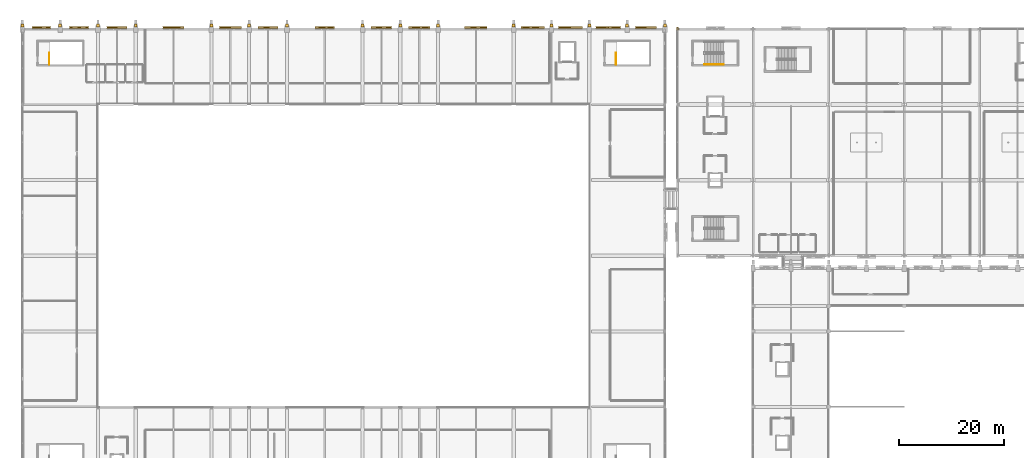
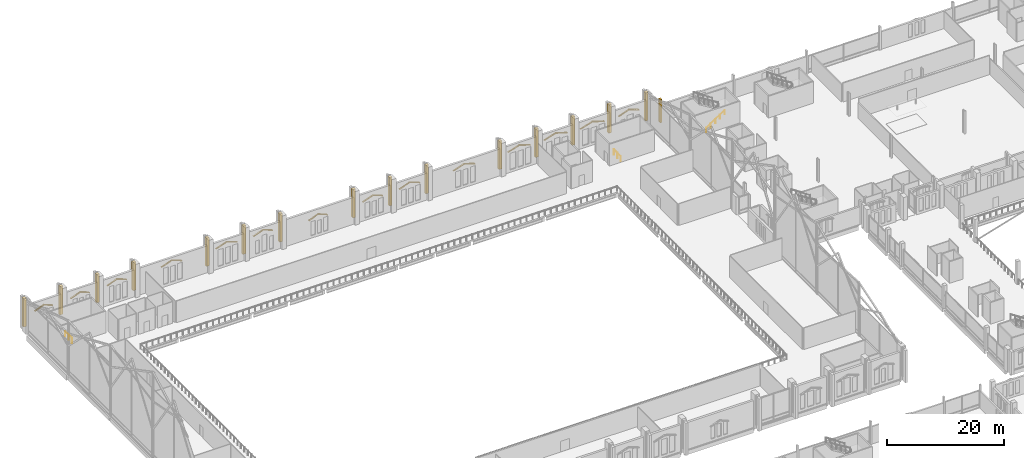
# One storey, part 216 of 220: 44 coverings, 3 railings.
"""IFC4 building model written with IfcOpenShell, lengths in metres."""

from ifc_helpers import new_model, si_unit, direction, frame, origin, origin_2d, place, context, subcontext, project, spatial, polyline, circle, outline, extrude, material, layer, layer_set, type_object, element, save


model = new_model("IFC4")

# Units and contexts
model_context = context("Model", 3, precision=1e-05, world=origin(), true_north=direction((0.0, 1.0)))
body_context = subcontext(model_context, "Body", "Model", "MODEL_VIEW")
ifc_project = project(units=[si_unit("LENGTHUNIT", "METRE"), si_unit("AREAUNIT", "SQUARE_METRE"), si_unit("VOLUMEUNIT", "CUBIC_METRE"), si_unit("PLANEANGLEUNIT", "RADIAN"), si_unit("MASSUNIT", "GRAM", prefix="KILO")], contexts=[model_context])

# Site, building, storey
site_placement = place(None, origin())
site = spatial("IfcSite", under=ifc_project, at=site_placement, CompositionType="ELEMENT")
building_placement = place(site_placement, origin())
building = spatial("IfcBuilding", under=site, at=building_placement, Name="Cendralis Lancet Convention Centre", CompositionType="ELEMENT")
storey_placement = place(building_placement, frame((0.0, 0.0, 5.39990234375)))
storey = spatial("IfcBuildingStorey", under=building, at=storey_placement, Name="L01", CompositionType="ELEMENT", Elevation=5.39990234375)

# Coverings
ifc_material_1 = material(Name="Warm buff sandstone chevron cassette", Category="masonry")
ifc_layer = layer(ifc_material_1, 0.06005859375, Name="Warm buff sandstone chevron cassette")
ifc_layer_set = layer_set([ifc_layer], Name="Warm buff sandstone chevron cassette")
covering_type = type_object("IfcCoveringType", Name="ARC-CV-CLAD1", PredefinedType="CLADDING", material=ifc_layer_set)
for number, where, z_axis, x_axis, name in (
    (1, (1.842529296875, 137.27001953125, 3.52001953125), (-0.37861784807, 0.0, 0.925553091466), (0.0, -1.0, 0.0), "L01 Gothic Pointed Lancet Hood-Mould #0021L"),
    (2, (3.62255859375, 137.27001953125, 4.239990234375), (0.37861784807, 0.0, 0.925553091466), (0.0, -1.0, 0.0), "L01 Gothic Pointed Lancet Hood-Mould #0022R"),
):
    element("IfcCovering", number, at=place(storey_placement, frame(where, z_axis=z_axis, x_axis=x_axis)), inside=storey, type_object=covering_type, Name=name, PredefinedType="CLADDING", context=body_context, shape_type="SweptSolid", body=[
        extrude(outline(polyline([(0.0, 0.0), (0.284912109375, 0.0), (0.284912109375, 1.9015762378757457), (0.0, 1.9015762378757457), (0.0, 0.0)])), origin(), (0.0, 0.0, -1.0), 0.090087890625),
    ])
covering_1_placement = place(storey_placement, frame((8.95751953125, 137.27001953125, 3.670166015625), z_axis=(-0.367839507016, 0.0, 0.929889292915), x_axis=(0.0, -1.0, 0.0)))
element("IfcCovering", 3, at=covering_1_placement, inside=storey, type_object=covering_type, Name="L01 Gothic Pointed Lancet Hood-Mould #0023L", PredefinedType="CLADDING", context=body_context, shape_type="SweptSolid", body=[
    extrude(outline(polyline([(0.0, 0.0), (0.284912109375, 0.0), (0.284912109375, 1.9572957482599074), (0.0, 1.9572957482599074), (0.0, 0.0)])), origin(), (0.0, 0.0, -1.0), 0.090087890625),
])
covering_2_placement = place(storey_placement, frame((10.797607421875, 137.27001953125, 4.39013671875), z_axis=(0.367882176722, 0.0, 0.92987241278), x_axis=(0.0, -1.0, 0.0)))
element("IfcCovering", 4, at=covering_2_placement, inside=storey, type_object=covering_type, Name="L01 Gothic Pointed Lancet Hood-Mould #0024R", PredefinedType="CLADDING", context=body_context, shape_type="SweptSolid", body=[
    extrude(outline(polyline([(0.0, 0.0), (0.284912109375, 0.0), (0.284912109375, 1.957068726567198), (0.0, 1.957068726567198), (0.0, 0.0)])), origin(), (0.0, 0.0, -1.0), 0.090087890625),
])
covering_3_placement = place(storey_placement, frame((16.1025390625, 137.27001953125, 3.820068359375), z_axis=(-0.354360803996, 0.0, 0.935108774737), x_axis=(0.0, -1.0, 0.0)))
element("IfcCovering", 5, at=covering_3_placement, inside=storey, type_object=covering_type, Name="L01 Gothic Pointed Lancet Hood-Mould #0025L", PredefinedType="CLADDING", context=body_context, shape_type="SweptSolid", body=[
    extrude(outline(polyline([(0.0, 0.0), (0.284912109375, 0.0), (0.284912109375, 2.0317447499981514), (0.0, 2.0317447499981514), (0.0, 0.0)])), origin(), (0.0, 0.0, -1.0), 0.090087890625),
])
covering_4_placement = place(storey_placement, frame((18.0224609375, 137.27001953125, 4.5400390625), z_axis=(0.354320990216, 0.0, 0.935123861257), x_axis=(0.0, -1.0, 0.0)))
element("IfcCovering", 6, at=covering_4_placement, inside=storey, type_object=covering_type, Name="L01 Gothic Pointed Lancet Hood-Mould #0026R", PredefinedType="CLADDING", context=body_context, shape_type="SweptSolid", body=[
    extrude(outline(polyline([(0.0, 0.0), (0.284912109375, 0.0), (0.284912109375, 2.0319730498805786), (0.0, 2.0319730498805786), (0.0, 0.0)])), origin(), (0.0, 0.0, -1.0), 0.090087890625),
])
for number, where, z_axis, x_axis, name in (
    (7, (26.78759765625, 137.27001953125, 3.940185546875), (-0.340214222677, 0.0, 0.940347958305), (0.0, -1.0, 0.0), "L01 Gothic Pointed Lancet Hood-Mould #0027L"),
    (8, (28.797607421875, 137.27001953125, 4.66015625), (0.340214222677, 0.0, 0.940347958305), (0.0, -1.0, 0.0), "L01 Gothic Pointed Lancet Hood-Mould #0028R"),
):
    element("IfcCovering", number, at=place(storey_placement, frame(where, z_axis=z_axis, x_axis=x_axis)), inside=storey, type_object=covering_type, Name=name, PredefinedType="CLADDING", context=body_context, shape_type="SweptSolid", body=[
        extrude(outline(polyline([(0.0, 0.0), (0.284912109375, 0.0), (0.284912109375, 2.1162275270552016), (0.0, 2.1162275270552016), (0.0, 0.0)])), origin(), (0.0, 0.0, -1.0), 0.090087890625),
    ])
covering_5_placement = place(storey_placement, frame((37.5224609375, 137.27001953125, 4.0), z_axis=(-0.32718674987, 0.0, 0.944959697929), x_axis=(0.0, -1.0, 0.0)))
element("IfcCovering", 9, at=covering_5_placement, inside=storey, type_object=covering_type, Name="L01 Gothic Pointed Lancet Hood-Mould #0029L", PredefinedType="CLADDING", context=body_context, shape_type="SweptSolid", body=[
    extrude(outline(polyline([(0.0, 0.0), (0.284912109375, 0.0), (0.284912109375, 2.201234750602796), (0.0, 2.201234750602796), (0.0, 0.0)])), origin(), (0.0, 0.0, -1.0), 0.090087890625),
])
covering_6_placement = place(storey_placement, frame((39.62255859375, 137.27001953125, 4.72021484375), z_axis=(0.327221044449, 0.0, 0.944947822935), x_axis=(0.0, -1.0, 0.0)))
element("IfcCovering", 10, at=covering_6_placement, inside=storey, type_object=covering_type, Name="L01 Gothic Pointed Lancet Hood-Mould #0030R", PredefinedType="CLADDING", context=body_context, shape_type="SweptSolid", body=[
    extrude(outline(polyline([(0.0, 0.0), (0.284912109375, 0.0), (0.284912109375, 2.201004049001052), (0.0, 2.201004049001052), (0.0, 0.0)])), origin(), (0.0, 0.0, -1.0), 0.090087890625),
])
covering_7_placement = place(storey_placement, frame((44.907470703125, 137.27001953125, 4.0), z_axis=(-0.359387225474, 0.0, 0.933188524451), x_axis=(0.0, -1.0, 0.0)))
element("IfcCovering", 11, at=covering_7_placement, inside=storey, type_object=covering_type, Name="L01 Gothic Pointed Lancet Hood-Mould #0031L", PredefinedType="CLADDING", context=body_context, shape_type="SweptSolid", body=[
    extrude(outline(polyline([(0.0, 0.0), (0.284912109375, 0.0), (0.284912109375, 2.0040079131931456), (0.0, 2.0040079131931456), (0.0, 0.0)])), origin(), (0.0, 0.0, -1.0), 0.090087890625),
])
covering_8_placement = place(storey_placement, frame((46.797607421875, 137.27001953125, 4.72021484375), z_axis=(0.359428087355, 0.0, 0.933172786798), x_axis=(0.0, -1.0, 0.0)))
element("IfcCovering", 12, at=covering_8_placement, inside=storey, type_object=covering_type, Name="L01 Gothic Pointed Lancet Hood-Mould #0032R", PredefinedType="CLADDING", context=body_context, shape_type="SweptSolid", body=[
    extrude(outline(polyline([(0.0, 0.0), (0.284912109375, 0.0), (0.284912109375, 2.0037800858845345), (0.0, 2.0037800858845345), (0.0, 0.0)])), origin(), (0.0, 0.0, -1.0), 0.090087890625),
])
covering_9_placement = place(storey_placement, frame((55.7724609375, 137.27001953125, 3.47021484375), z_axis=(-0.366097873786, 0.0, 0.93057635195), x_axis=(0.0, -1.0, 0.0)))
element("IfcCovering", 13, at=covering_9_placement, inside=storey, type_object=covering_type, Name="L01 Gothic Pointed Lancet Hood-Mould #0033L", PredefinedType="CLADDING", context=body_context, shape_type="SweptSolid", body=[
    extrude(outline(polyline([(0.0, 0.0), (0.284912109375, 0.0), (0.284912109375, 1.9666071689490563), (0.0, 1.9666071689490563), (0.0, 0.0)])), origin(), (0.0, 0.0, -1.0), 0.090087890625),
])
covering_10_placement = place(storey_placement, frame((57.62255859375, 137.27001953125, 4.190185546875), z_axis=(0.366140171602, 0.0, 0.930559710464), x_axis=(0.0, -1.0, 0.0)))
element("IfcCovering", 14, at=covering_10_placement, inside=storey, type_object=covering_type, Name="L01 Gothic Pointed Lancet Hood-Mould #0034R", PredefinedType="CLADDING", context=body_context, shape_type="SweptSolid", body=[
    extrude(outline(polyline([(0.0, 0.0), (0.284912109375, 0.0), (0.284912109375, 1.9663799794881949), (0.0, 1.9663799794881949), (0.0, 0.0)])), origin(), (0.0, 0.0, -1.0), 0.090087890625),
])
for number, where, z_axis, x_axis, name in (
    (15, (66.447509765625, 137.27001953125, 3.6201171875), (-0.349525300918, 0.0, 0.936926925655), (0.0, -1.0, 0.0), "L01 Gothic Pointed Lancet Hood-Mould #0035L"),
    (16, (68.3974609375, 137.27001953125, 4.340087890625), (0.349525300918, 0.0, 0.936926925655), (0.0, -1.0, 0.0), "L01 Gothic Pointed Lancet Hood-Mould #0036R"),
):
    element("IfcCovering", number, at=place(storey_placement, frame(where, z_axis=z_axis, x_axis=x_axis)), inside=storey, type_object=covering_type, Name=name, PredefinedType="CLADDING", context=body_context, shape_type="SweptSolid", body=[
        extrude(outline(polyline([(0.0, 0.0), (0.284912109375, 0.0), (0.284912109375, 2.059852895437878), (0.0, 2.059852895437878), (0.0, 0.0)])), origin(), (0.0, 0.0, -1.0), 0.090087890625),
    ])
for number, where, z_axis, x_axis, name in (
    (17, (73.58251953125, 137.27001953125, 3.77001953125), (-0.335730524848, 0.0, 0.941958074802), (0.0, -1.0, 0.0), "L01 Gothic Pointed Lancet Hood-Mould #0037L"),
    (18, (75.62255859375, 137.27001953125, 4.489990234375), (0.335730524848, 0.0, 0.941958074802), (0.0, -1.0, 0.0), "L01 Gothic Pointed Lancet Hood-Mould #0038R"),
):
    element("IfcCovering", number, at=place(storey_placement, frame(where, z_axis=z_axis, x_axis=x_axis)), inside=storey, type_object=covering_type, Name=name, PredefinedType="CLADDING", context=body_context, shape_type="SweptSolid", body=[
        extrude(outline(polyline([(0.0, 0.0), (0.284912109375, 0.0), (0.284912109375, 2.1444898507546677), (0.0, 2.1444898507546677), (0.0, 0.0)])), origin(), (0.0, 0.0, -1.0), 0.090087890625),
    ])
covering_11_placement = place(storey_placement, frame((84.267578125, 137.27001953125, 3.8701171875), z_axis=(-0.322954867765, 0.0, 0.946414366642), x_axis=(0.0, -1.0, 0.0)))
element("IfcCovering", 19, at=covering_11_placement, inside=storey, type_object=covering_type, Name="L01 Gothic Pointed Lancet Hood-Mould #0039L", PredefinedType="CLADDING", context=body_context, shape_type="SweptSolid", body=[
    extrude(outline(polyline([(0.0, 0.0), (0.284912109375, 0.0), (0.284912109375, 2.2293229642484116), (0.0, 2.2293229642484116), (0.0, 0.0)])), origin(), (0.0, 0.0, -1.0), 0.090087890625),
])
covering_12_placement = place(storey_placement, frame((86.3974609375, 137.27001953125, 4.590087890625), z_axis=(0.322921398373, 0.0, 0.946425787092), x_axis=(0.0, -1.0, 0.0)))
element("IfcCovering", 20, at=covering_12_placement, inside=storey, type_object=covering_type, Name="L01 Gothic Pointed Lancet Hood-Mould #0040R", PredefinedType="CLADDING", context=body_context, shape_type="SweptSolid", body=[
    extrude(outline(polyline([(0.0, 0.0), (0.284912109375, 0.0), (0.284912109375, 2.2295540238375624), (0.0, 2.2295540238375624), (0.0, 0.0)])), origin(), (0.0, 0.0, -1.0), 0.090087890625),
])
covering_13_placement = place(storey_placement, frame((95.00244140625, 137.27001953125, 3.97021484375), z_axis=(-0.31103386402, 0.0, 0.950398829667), x_axis=(0.0, -1.0, 0.0)))
element("IfcCovering", 21, at=covering_13_placement, inside=storey, type_object=covering_type, Name="L01 Gothic Pointed Lancet Hood-Mould #0041L", PredefinedType="CLADDING", context=body_context, shape_type="SweptSolid", body=[
    extrude(outline(polyline([(0.0, 0.0), (0.284912109375, 0.0), (0.284912109375, 2.3147662888491554), (0.0, 2.3147662888491554), (0.0, 0.0)])), origin(), (0.0, 0.0, -1.0), 0.090087890625),
])
covering_14_placement = place(storey_placement, frame((97.222412109375, 137.27001953125, 4.690185546875), z_axis=(0.311002689106, 0.0, 0.950409031612), x_axis=(0.0, -1.0, 0.0)))
element("IfcCovering", 22, at=covering_14_placement, inside=storey, type_object=covering_type, Name="L01 Gothic Pointed Lancet Hood-Mould #0042R", PredefinedType="CLADDING", context=body_context, shape_type="SweptSolid", body=[
    extrude(outline(polyline([(0.0, 0.0), (0.284912109375, 0.0), (0.284912109375, 2.3149983210588467), (0.0, 2.3149983210588467), (0.0, 0.0)])), origin(), (0.0, 0.0, -1.0), 0.090087890625),
])
for number, where, z_axis, x_axis, name in (
    (23, (102.107421875, 137.27001953125, 3.97021484375), (-0.302323379822, 0.0, 0.95320542068), (0.0, -1.0, 0.0), "L01 Gothic Pointed Lancet Hood-Mould #0043L"),
    (24, (104.3974609375, 137.27001953125, 4.690185546875), (0.302323379822, 0.0, 0.95320542068), (0.0, -1.0, 0.0), "L01 Gothic Pointed Lancet Hood-Mould #0044R"),
):
    element("IfcCovering", number, at=place(storey_placement, frame(where, z_axis=z_axis, x_axis=x_axis)), inside=storey, type_object=covering_type, Name=name, PredefinedType="CLADDING", context=body_context, shape_type="SweptSolid", body=[
        extrude(outline(polyline([(0.0, 0.0), (0.284912109375, 0.0), (0.284912109375, 2.3814588985776717), (0.0, 2.3814588985776717), (0.0, 0.0)])), origin(), (0.0, 0.0, -1.0), 0.090087890625),
    ])
covering_15_placement = place(storey_placement, frame((109.2724609375, 137.27001953125, 3.800048828125), z_axis=(-0.295218214512, 0.0, 0.955429853951), x_axis=(0.0, -1.0, 0.0)))
element("IfcCovering", 25, at=covering_15_placement, inside=storey, type_object=covering_type, Name="L01 Gothic Pointed Lancet Hood-Mould #0045L", PredefinedType="CLADDING", context=body_context, shape_type="SweptSolid", body=[
    extrude(outline(polyline([(0.0, 0.0), (0.284912109375, 0.0), (0.284912109375, 2.438774668140093), (0.0, 2.438774668140093), (0.0, 0.0)])), origin(), (0.0, 0.0, -1.0), 0.090087890625),
])
covering_16_placement = place(storey_placement, frame((111.62255859375, 137.27001953125, 4.52001953125), z_axis=(0.295246453549, 0.0, 0.955421127915), x_axis=(0.0, -1.0, 0.0)))
element("IfcCovering", 26, at=covering_16_placement, inside=storey, type_object=covering_type, Name="L01 Gothic Pointed Lancet Hood-Mould #0046R", PredefinedType="CLADDING", context=body_context, shape_type="SweptSolid", body=[
    extrude(outline(polyline([(0.0, 0.0), (0.284912109375, 0.0), (0.284912109375, 2.438541409963545), (0.0, 2.438541409963545), (0.0, 0.0)])), origin(), (0.0, 0.0, -1.0), 0.090087890625),
])
for number, where, z_axis, x_axis, name in (
    (27, (116.78759765625, 137.27001953125, 3.800048828125), (-0.340214222677, 0.0, 0.940347958305), (0.0, -1.0, 0.0), "L01 Gothic Pointed Lancet Hood-Mould #0047L"),
    (28, (118.797607421875, 137.27001953125, 4.52001953125), (0.340214222677, 0.0, 0.940347958305), (0.0, -1.0, 0.0), "L01 Gothic Pointed Lancet Hood-Mould #0048R"),
):
    element("IfcCovering", number, at=place(storey_placement, frame(where, z_axis=z_axis, x_axis=x_axis)), inside=storey, type_object=covering_type, Name=name, PredefinedType="CLADDING", context=body_context, shape_type="SweptSolid", body=[
        extrude(outline(polyline([(0.0, 0.0), (0.284912109375, 0.0), (0.284912109375, 2.1162275270552016), (0.0, 2.1162275270552016), (0.0, 0.0)])), origin(), (0.0, 0.0, -1.0), 0.090087890625),
    ])
covering_17_placement = place(storey_placement, frame((0.0, 0.0, 0.800048828125)))
element("IfcCovering", 29, at=covering_17_placement, inside=storey, type_object=covering_type, Name="Gothic Stepped Stone Buttress Shaft #0002", PredefinedType="CLADDING", context=body_context, shape_type="SweptSolid", body=[
    extrude(outline(polyline([(0.280029296875, 137.75), (-0.280029296875, 137.75), (-0.280029296875, 137.219970703125), (0.280029296875, 137.219970703125), (0.280029296875, 137.75)])), origin(), (0.0, 0.0, 1.0), 5.900146484375),
])
covering_18_placement = place(storey_placement, frame((0.0, 0.0, 0.800048828125)))
element("IfcCovering", 30, at=covering_18_placement, inside=storey, type_object=covering_type, Name="Gothic Stepped Stone Buttress Shaft #0004", PredefinedType="CLADDING", context=body_context, shape_type="SweptSolid", body=[
    extrude(outline(polyline([(7.47998046875, 137.75), (6.919921875, 137.75), (6.919921875, 137.219970703125), (7.47998046875, 137.219970703125), (7.47998046875, 137.75)])), origin(), (0.0, 0.0, 1.0), 5.900146484375),
])
covering_19_placement = place(storey_placement, frame((0.0, 0.0, 0.800048828125)))
element("IfcCovering", 31, at=covering_19_placement, inside=storey, type_object=covering_type, Name="Gothic Stepped Stone Buttress Shaft #0006", PredefinedType="CLADDING", context=body_context, shape_type="SweptSolid", body=[
    extrude(outline(polyline([(14.679931640625, 137.75), (14.1201171875, 137.75), (14.1201171875, 137.219970703125), (14.679931640625, 137.219970703125), (14.679931640625, 137.75)])), origin(), (0.0, 0.0, 1.0), 5.900146484375),
])
covering_20_placement = place(storey_placement, frame((0.0, 0.0, 0.800048828125)))
element("IfcCovering", 32, at=covering_20_placement, inside=storey, type_object=covering_type, Name="Gothic Stepped Stone Buttress Shaft #0008", PredefinedType="CLADDING", context=body_context, shape_type="SweptSolid", body=[
    extrude(outline(polyline([(21.8798828125, 137.75), (21.320068359375, 137.75), (21.320068359375, 137.219970703125), (21.8798828125, 137.219970703125), (21.8798828125, 137.75)])), origin(), (0.0, 0.0, 1.0), 5.900146484375),
])
covering_21_placement = place(storey_placement, frame((0.0, 0.0, 0.800048828125)))
element("IfcCovering", 33, at=covering_21_placement, inside=storey, type_object=covering_type, Name="Gothic Stepped Stone Buttress Shaft #0010", PredefinedType="CLADDING", context=body_context, shape_type="SweptSolid", body=[
    extrude(outline(polyline([(36.280029296875, 137.75), (35.719970703125, 137.75), (35.719970703125, 137.219970703125), (36.280029296875, 137.219970703125), (36.280029296875, 137.75)])), origin(), (0.0, 0.0, 1.0), 5.900146484375),
])
covering_22_placement = place(storey_placement, frame((0.0, 0.0, 0.800048828125)))
element("IfcCovering", 34, at=covering_22_placement, inside=storey, type_object=covering_type, Name="Gothic Stepped Stone Buttress Shaft #0012", PredefinedType="CLADDING", context=body_context, shape_type="SweptSolid", body=[
    extrude(outline(polyline([(43.47998046875, 137.75), (42.919921875, 137.75), (42.919921875, 137.219970703125), (43.47998046875, 137.219970703125), (43.47998046875, 137.75)])), origin(), (0.0, 0.0, 1.0), 5.900146484375),
])
covering_23_placement = place(storey_placement, frame((0.0, 0.0, 0.800048828125)))
element("IfcCovering", 35, at=covering_23_placement, inside=storey, type_object=covering_type, Name="Gothic Stepped Stone Buttress Shaft #0014", PredefinedType="CLADDING", context=body_context, shape_type="SweptSolid", body=[
    extrude(outline(polyline([(50.679931640625, 137.75), (50.1201171875, 137.75), (50.1201171875, 137.219970703125), (50.679931640625, 137.219970703125), (50.679931640625, 137.75)])), origin(), (0.0, 0.0, 1.0), 5.900146484375),
])
covering_24_placement = place(storey_placement, frame((0.0, 0.0, 0.800048828125)))
element("IfcCovering", 36, at=covering_24_placement, inside=storey, type_object=covering_type, Name="Gothic Stepped Stone Buttress Shaft #0016", PredefinedType="CLADDING", context=body_context, shape_type="SweptSolid", body=[
    extrude(outline(polyline([(65.080078125, 137.75), (64.52001953125, 137.75), (64.52001953125, 137.219970703125), (65.080078125, 137.219970703125), (65.080078125, 137.75)])), origin(), (0.0, 0.0, 1.0), 5.900146484375),
])
covering_25_placement = place(storey_placement, frame((0.0, 0.0, 0.800048828125)))
element("IfcCovering", 37, at=covering_25_placement, inside=storey, type_object=covering_type, Name="Gothic Stepped Stone Buttress Shaft #0018", PredefinedType="CLADDING", context=body_context, shape_type="SweptSolid", body=[
    extrude(outline(polyline([(72.280029296875, 137.75), (71.719970703125, 137.75), (71.719970703125, 137.219970703125), (72.280029296875, 137.219970703125), (72.280029296875, 137.75)])), origin(), (0.0, 0.0, 1.0), 5.900146484375),
])
covering_26_placement = place(storey_placement, frame((0.0, 0.0, 0.800048828125)))
element("IfcCovering", 38, at=covering_26_placement, inside=storey, type_object=covering_type, Name="Gothic Stepped Stone Buttress Shaft #0020", PredefinedType="CLADDING", context=body_context, shape_type="SweptSolid", body=[
    extrude(outline(polyline([(79.47998046875, 137.75), (78.919921875, 137.75), (78.919921875, 137.219970703125), (79.47998046875, 137.219970703125), (79.47998046875, 137.75)])), origin(), (0.0, 0.0, 1.0), 5.900146484375),
])
covering_27_placement = place(storey_placement, frame((0.0, 0.0, 0.800048828125)))
element("IfcCovering", 39, at=covering_27_placement, inside=storey, type_object=covering_type, Name="Gothic Stepped Stone Buttress Shaft #0022", PredefinedType="CLADDING", context=body_context, shape_type="SweptSolid", body=[
    extrude(outline(polyline([(93.8798828125, 137.75), (93.320068359375, 137.75), (93.320068359375, 137.219970703125), (93.8798828125, 137.219970703125), (93.8798828125, 137.75)])), origin(), (0.0, 0.0, 1.0), 5.900146484375),
])
covering_28_placement = place(storey_placement, frame((0.0, 0.0, 0.800048828125)))
element("IfcCovering", 40, at=covering_28_placement, inside=storey, type_object=covering_type, Name="Gothic Stepped Stone Buttress Shaft #0024", PredefinedType="CLADDING", context=body_context, shape_type="SweptSolid", body=[
    extrude(outline(polyline([(101.080078125, 137.75), (100.52001953125, 137.75), (100.52001953125, 137.219970703125), (101.080078125, 137.219970703125), (101.080078125, 137.75)])), origin(), (0.0, 0.0, 1.0), 5.900146484375),
])
covering_29_placement = place(storey_placement, frame((0.0, 0.0, 0.800048828125)))
element("IfcCovering", 41, at=covering_29_placement, inside=storey, type_object=covering_type, Name="Gothic Stepped Stone Buttress Shaft #0026", PredefinedType="CLADDING", context=body_context, shape_type="SweptSolid", body=[
    extrude(outline(polyline([(108.280029296875, 137.75), (107.719970703125, 137.75), (107.719970703125, 137.219970703125), (108.280029296875, 137.219970703125), (108.280029296875, 137.75)])), origin(), (0.0, 0.0, 1.0), 5.900146484375),
])
covering_30_placement = place(storey_placement, frame((0.0, 0.0, 0.800048828125)))
element("IfcCovering", 42, at=covering_30_placement, inside=storey, type_object=covering_type, Name="Gothic Stepped Stone Buttress Shaft #0028", PredefinedType="CLADDING", context=body_context, shape_type="SweptSolid", body=[
    extrude(outline(polyline([(115.47998046875, 137.75), (114.919921875, 137.75), (114.919921875, 137.219970703125), (115.47998046875, 137.219970703125), (115.47998046875, 137.75)])), origin(), (0.0, 0.0, 1.0), 5.900146484375),
])
covering_31_placement = place(storey_placement, frame((0.0, 0.0, 0.800048828125)))
element("IfcCovering", 43, at=covering_31_placement, inside=storey, type_object=covering_type, Name="Gothic Stepped Stone Buttress Shaft #0030", PredefinedType="CLADDING", context=body_context, shape_type="SweptSolid", body=[
    extrude(outline(polyline([(122.679931640625, 137.75), (122.1201171875, 137.75), (122.1201171875, 137.219970703125), (122.679931640625, 137.219970703125), (122.679931640625, 137.75)])), origin(), (0.0, 0.0, 1.0), 5.900146484375),
])
covering_32_placement = place(storey_placement, origin())
element("IfcCovering", 44, at=covering_32_placement, inside=storey, type_object=covering_type, Name="Exterior Column Stone Fire-Casing L01 #042", PredefinedType="CLADDING", context=body_context, shape_type="SweptSolid", body=[
    extrude(outline(polyline([(124.637939453125, 136.512939453125), (124.9619140625, 136.512939453125), (124.9619140625, 137.0869140625), (124.637939453125, 137.0869140625), (124.637939453125, 136.512939453125)])), origin(), (0.0, 0.0, 1.0), 4.800048828125),
])

# Railings
ifc_material_2 = material(Name="Steel S355", Category="steel")
railing_type_1 = type_object("IfcRailingType", Name="ARC-RL-CGD", PredefinedType="GUARDRAIL", material=ifc_material_2)
for number, where, name in (
    (45, (5.10009765625, 130.0, 0.0), "L01 ST-02 top well guard 1"),
    (46, (113.10009765625, 130.0, 0.0), "L01 ST-04 top well guard 1"),
):
    element("IfcRailing", number, at=place(storey_placement, frame(where)), inside=storey, type_object=railing_type_1, Name=name, PredefinedType="GUARDRAIL", context=body_context, shape_type="SweptSolid", body=[
        extrude(circle(Radius=0.02392578125, at=origin_2d()), frame((0.0, 0.0, 1.076171875), z_axis=(0.0, 1.0, 0.0), x_axis=(-1.0, 0.0, 0.0)), (0.0, 0.0, 1.0), 2.280029296875),
        extrude(circle(Radius=0.02099609375, at=origin_2d()), origin(), (0.0, 0.0, 1.0), 1.052001953125),
        extrude(circle(Radius=0.02099609375, at=origin_2d()), frame((0.0, 1.14013671875, 0.0)), (0.0, 0.0, 1.0), 1.052001953125),
        extrude(circle(Radius=0.02099609375, at=origin_2d()), frame((0.0, 2.280029296875, 0.0)), (0.0, 0.0, 1.0), 1.052001953125),
    ])
railing_type_2 = type_object("IfcRailingType", Name="ARC-RL-CHR", PredefinedType="HANDRAIL", material=ifc_material_2)
railing_placement = place(storey_placement, frame((129.949951171875, 130.050048828125, 0.171630859375)))
element("IfcRailing", 47, at=railing_placement, inside=storey, type_object=railing_type_2, Name="L01 ST-05 stair handrail 1", PredefinedType="HANDRAIL", context=body_context, shape_type="SweptSolid", body=[
    extrude(circle(Radius=0.02392578125, at=origin_2d()), frame((0.0, 0.0, 0.8759765625), z_axis=(0.83488217925, 0.0, 0.55042869363), x_axis=(0.0, 1.0, 0.0)), (0.0, 0.0, 1.0), 4.360107421875),
    extrude(circle(Radius=0.02099609375, at=origin_2d()), origin(), (0.0, 0.0, 1.0), 0.851806640625),
    extrude(circle(Radius=0.02099609375, at=origin_2d()), frame((0.91015625, 0.0, 0.60009765625)), (0.0, 0.0, 1.0), 0.851806640625),
    extrude(circle(Radius=0.02099609375, at=origin_2d()), frame((1.820068359375, 0.0, 1.199951171875)), (0.0, 0.0, 1.0), 0.851806640625),
    extrude(circle(Radius=0.02099609375, at=origin_2d()), frame((2.72998046875, 0.0, 1.7998046875)), (0.0, 0.0, 1.0), 0.851806640625),
    extrude(circle(Radius=0.02099609375, at=origin_2d()), frame((3.64013671875, 0.0, 2.39990234375)), (0.0, 0.0, 1.0), 0.851806640625),
])

save(model, "model.ifc")
